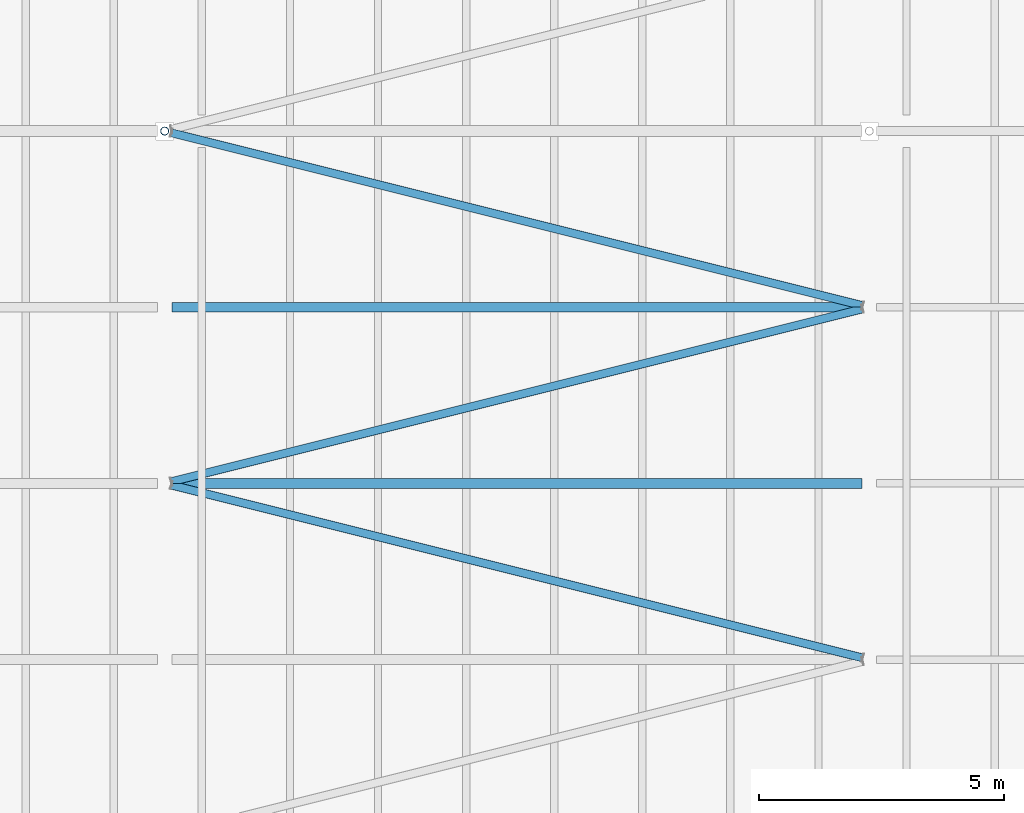
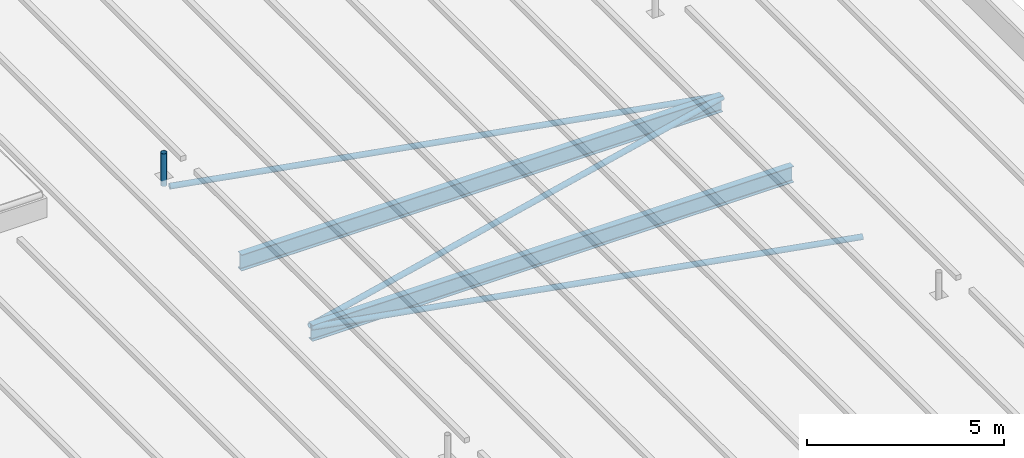
# One storey, part 54 of 120: 4 members, 2 beams.
"""IFC4 building model written with IfcOpenShell, lengths in metres."""

from ifc_helpers import new_model, si_unit, direction, frame, origin, origin_2d, place, context, subcontext, project, spatial, hollow_circle, i_section, extrude, material, material_profile, profile_set, type_object, element, save


model = new_model("IFC4")

# Units and contexts
model_context = context("Model", 3, precision=1e-05, world=origin(), true_north=direction((0.0, 1.0)))
body_context = subcontext(model_context, "Body", "Model", "MODEL_VIEW")
ifc_project = project(units=[si_unit("LENGTHUNIT", "METRE"), si_unit("AREAUNIT", "SQUARE_METRE"), si_unit("VOLUMEUNIT", "CUBIC_METRE"), si_unit("PLANEANGLEUNIT", "RADIAN"), si_unit("MASSUNIT", "GRAM", prefix="KILO")], contexts=[model_context])

# Site, building, storey
site_placement = place(None, origin())
site = spatial("IfcSite", under=ifc_project, at=site_placement, CompositionType="ELEMENT")
building_placement = place(site_placement, origin())
building = spatial("IfcBuilding", under=site, at=building_placement, Name="Kupolbacken Congress Centre", CompositionType="ELEMENT")
storey_placement = place(building_placement, frame((0.0, 0.0, 21.60009765625)))
storey = spatial("IfcBuildingStorey", under=building, at=storey_placement, Name="L06", CompositionType="ELEMENT", Elevation=21.60009765625)

# Beams
ifc_material_1 = material(Name="Steel S355", Category="steel")
ifc_material_profile_1 = material_profile(ifc_material_1, i_section(OverallWidth=0.199951171875, OverallDepth=0.5, WebThickness=0.01025390625, FlangeThickness=0.01611328125, FilletRadius=0.02099609375, at=origin_2d()), Name="IPE 500")
ifc_profile_set_1 = profile_set([ifc_material_profile_1], Name="Steel S355")
beam_type = type_object("IfcBeamType", Name="B09 beam IPE 500", PredefinedType="BEAM", material=ifc_profile_set_1)
for number, where, z_axis, x_axis, name in (
    (1, (180.14501953125, 90.0, -0.25), (1.0, 0.0, 0.0), (0.0, 1.0, 0.0), "HR/P13-07"),
    (2, (180.14501953125, 93.60009765625, -0.25), (1.0, 0.0, 0.0), (0.0, 1.0, 0.0), "HR/P14-07"),
):
    element("IfcBeam", number, at=place(storey_placement, frame(where, z_axis=z_axis, x_axis=x_axis)), inside=storey, type_object=beam_type, Name=name, PredefinedType="BEAM", context=body_context, shape_type="SweptSolid", body=[
        extrude(i_section(OverallWidth=0.199951171875, OverallDepth=0.5, WebThickness=0.01025390625, FlangeThickness=0.01611328125, FilletRadius=0.02099609375, at=origin_2d()), origin(), (0.0, 0.0, 1.0), 14.10986328125),
    ])

# Members
ifc_material_2 = material(Name="Steel S355", Category="steel")
ifc_material_profile_2 = material_profile(ifc_material_2, hollow_circle(Radius=0.084228515625, WallThickness=0.008056640625, at=origin_2d()), Name="CHS 168.3 x 8")
ifc_profile_set_2 = profile_set([ifc_material_profile_2], Name="Steel S355")
member_type_1 = type_object("IfcMemberType", Name="M20 transfer truss post CHS 168.3 x 8", PredefinedType="STRUT", material=ifc_profile_set_2)
member_placement = place(storey_placement, frame((180.0, 97.199951171875, -0.010009765625), z_axis=(0.0, 0.0, 1.0), x_axis=(1.0, 0.0, 0.0)))
element("IfcMember", 3, at=member_placement, inside=storey, type_object=member_type_1, Name="Roof stay anchor post M7N.1", PredefinedType="STRUT", context=body_context, shape_type="SweptSolid", body=[
    extrude(hollow_circle(Radius=0.084228515625, WallThickness=0.008056640625, at=origin_2d()), origin(), (0.0, 0.0, 1.0), 1.010009765625),
])
ifc_material_3 = material(Name="Steel S355", Category="steel")
ifc_material_profile_3 = material_profile(ifc_material_3, hollow_circle(Radius=0.084228515625, WallThickness=0.008056640625, at=origin_2d()), Name="CHS 168.3 x 8")
ifc_profile_set_3 = profile_set([ifc_material_profile_3], Name="Steel S355")
member_type_2 = type_object("IfcMemberType", Name="M21 brace CHS 168.3 x 8", PredefinedType="BRACE", material=ifc_profile_set_3)
for number, where, z_axis, x_axis, name in (
    (4, (194.25927734375, 86.43505859375, -0.084228515625), (-0.970140526498, 0.24254351949, 0.0), (-0.24254351949, -0.970140526498, 0.0), "HR/RB/07-12"),
    (5, (180.140625, 90.03515625, -0.084228515625), (0.970140526498, 0.24254351949, 0.0), (-0.24254351949, 0.970140526498, 0.0), "HR/RB/07-13"),
    (6, (194.25927734375, 93.63525390625, -0.084228515625), (-0.970144473737, 0.242527730535, 0.0), (-0.242527730535, -0.970144473737, 0.0), "HR/RB/07-14"),
):
    element("IfcMember", number, at=place(storey_placement, frame(where, z_axis=z_axis, x_axis=x_axis)), inside=storey, type_object=member_type_2, Name=name, PredefinedType="BRACE", context=body_context, shape_type="SweptSolid", body=[
        extrude(hollow_circle(Radius=0.084228515625, WallThickness=0.008056640625, at=origin_2d()), origin(), (0.0, 0.0, 1.0), 14.55322265625),
    ])

save(model, "model.ifc")
